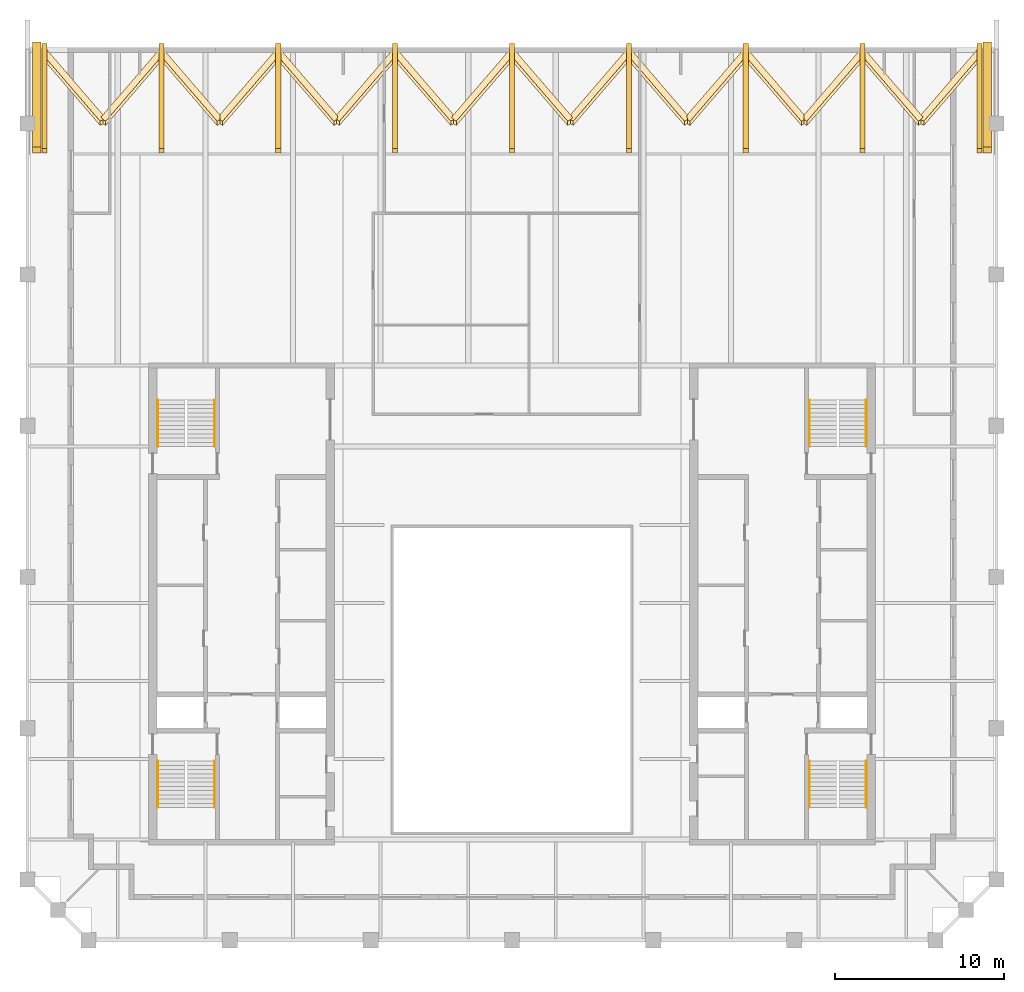
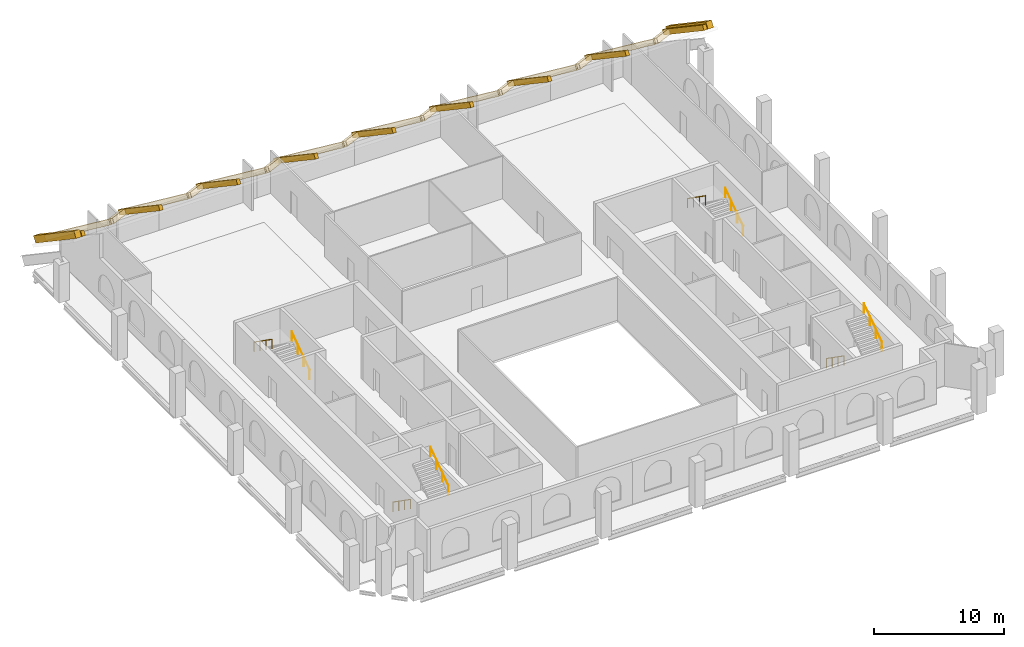
# One storey, part 8 of 8: 27 coverings, 8 railings.
"""IFC4 building model written with IfcOpenShell, lengths in metres."""

from ifc_helpers import new_model, si_unit, direction, frame, origin, origin_2d, place, context, subcontext, project, spatial, rectangle, circle, extrude, material, material_profile, profile_set, type_object, element, save


model = new_model("IFC4")

# Units and contexts
model_context = context("Model", 3, precision=1e-05, world=origin(), true_north=direction((0.0, 1.0)))
body_context = subcontext(model_context, "Body", "Model", "MODEL_VIEW")
ifc_project = project(units=[si_unit("LENGTHUNIT", "METRE"), si_unit("AREAUNIT", "SQUARE_METRE"), si_unit("VOLUMEUNIT", "CUBIC_METRE"), si_unit("PLANEANGLEUNIT", "RADIAN"), si_unit("MASSUNIT", "GRAM", prefix="KILO")], contexts=[model_context])

# Site, building, storey
site_placement = place(None, origin())
site = spatial("IfcSite", under=ifc_project, at=site_placement, CompositionType="ELEMENT")
building_placement = place(site_placement, origin())
building = spatial("IfcBuilding", under=site, at=building_placement, Name="Ogive Exchange Tower", CompositionType="ELEMENT")
storey_placement = place(building_placement, frame((0.0, 0.0, 377.39990234375)))
storey = spatial("IfcBuildingStorey", under=building, at=storey_placement, Name="C03", CompositionType="ELEMENT", Elevation=377.39990234375)

# Railings
ifc_material_1 = material(Name="Stainless steel", Category="steel")
railing_type = type_object("IfcRailingType", Name="Stair handrail 900", PredefinedType="HANDRAIL", material=ifc_material_1)
railing_1_placement = place(storey_placement, frame((-20.949951171875, 2.199951171875, 0.175048828125)))
element("IfcRailing", 1, at=railing_1_placement, inside=storey, type_object=railing_type, Name="C03 ST1 stair handrail 1", PredefinedType="HANDRAIL", context=body_context, shape_type="SweptSolid", body=[
    extrude(circle(Radius=0.02392578125, at=origin_2d()), frame((0.0, 0.0, 0.8759765625), z_axis=(0.0, -0.819225086817, 0.573472106672), x_axis=(1.0, 0.0, 0.0)), (0.0, 0.0, 1.0), 3.35693359375),
    extrude(circle(Radius=0.02099609375, at=origin_2d()), origin(), (0.0, 0.0, 1.0), 0.851806640625),
    extrude(circle(Radius=0.02099609375, at=origin_2d()), frame((0.0, -0.916748046875, 0.6416015625)), (0.0, 0.0, 1.0), 0.851806640625),
    extrude(circle(Radius=0.02099609375, at=origin_2d()), frame((0.0, -1.833251953125, 1.283447265625)), (0.0, 0.0, 1.0), 0.851806640625),
    extrude(circle(Radius=0.02099609375, at=origin_2d()), frame((0.0, -2.75, 1.925048828125)), (0.0, 0.0, 1.0), 0.851806640625),
])
for number, where, name in (
    (2, (-17.60009765625, -0.550048828125, 2.275146484375), "C03 ST1 stair handrail 2"),
    (3, (-17.60009765625, 20.800048828125, 0.175048828125), "C03 ST2 stair handrail 1"),
):
    element("IfcRailing", number, at=place(storey_placement, frame(where)), inside=storey, type_object=railing_type, Name=name, PredefinedType="HANDRAIL", context=body_context, shape_type="SweptSolid", body=[
        extrude(circle(Radius=0.02392578125, at=origin_2d()), frame((0.0, 0.0, 0.8759765625), z_axis=(0.0, 0.819225086817, 0.573472106672), x_axis=(-1.0, 0.0, 0.0)), (0.0, 0.0, 1.0), 3.35693359375),
        extrude(circle(Radius=0.02099609375, at=origin_2d()), origin(), (0.0, 0.0, 1.0), 0.851806640625),
        extrude(circle(Radius=0.02099609375, at=origin_2d()), frame((0.0, 0.916748046875, 0.6416015625)), (0.0, 0.0, 1.0), 0.851806640625),
        extrude(circle(Radius=0.02099609375, at=origin_2d()), frame((0.0, 1.833251953125, 1.283447265625)), (0.0, 0.0, 1.0), 0.851806640625),
        extrude(circle(Radius=0.02099609375, at=origin_2d()), frame((0.0, 2.75, 1.925048828125)), (0.0, 0.0, 1.0), 0.851806640625),
    ])
for number, where, name in (
    (4, (-20.949951171875, 23.550048828125, 2.275146484375), "C03 ST2 stair handrail 2"),
    (5, (17.60009765625, 2.199951171875, 0.175048828125), "C03 ST3 stair handrail 1"),
):
    element("IfcRailing", number, at=place(storey_placement, frame(where)), inside=storey, type_object=railing_type, Name=name, PredefinedType="HANDRAIL", context=body_context, shape_type="SweptSolid", body=[
        extrude(circle(Radius=0.02392578125, at=origin_2d()), frame((0.0, 0.0, 0.8759765625), z_axis=(0.0, -0.819225086817, 0.573472106672), x_axis=(1.0, 0.0, 0.0)), (0.0, 0.0, 1.0), 3.35693359375),
        extrude(circle(Radius=0.02099609375, at=origin_2d()), origin(), (0.0, 0.0, 1.0), 0.851806640625),
        extrude(circle(Radius=0.02099609375, at=origin_2d()), frame((0.0, -0.916748046875, 0.6416015625)), (0.0, 0.0, 1.0), 0.851806640625),
        extrude(circle(Radius=0.02099609375, at=origin_2d()), frame((0.0, -1.833251953125, 1.283447265625)), (0.0, 0.0, 1.0), 0.851806640625),
        extrude(circle(Radius=0.02099609375, at=origin_2d()), frame((0.0, -2.75, 1.925048828125)), (0.0, 0.0, 1.0), 0.851806640625),
    ])
for number, where, name in (
    (6, (20.949951171875, -0.550048828125, 2.275146484375), "C03 ST3 stair handrail 2"),
    (7, (20.949951171875, 20.800048828125, 0.175048828125), "C03 ST4 stair handrail 1"),
):
    element("IfcRailing", number, at=place(storey_placement, frame(where)), inside=storey, type_object=railing_type, Name=name, PredefinedType="HANDRAIL", context=body_context, shape_type="SweptSolid", body=[
        extrude(circle(Radius=0.02392578125, at=origin_2d()), frame((0.0, 0.0, 0.8759765625), z_axis=(0.0, 0.819225086817, 0.573472106672), x_axis=(-1.0, 0.0, 0.0)), (0.0, 0.0, 1.0), 3.35693359375),
        extrude(circle(Radius=0.02099609375, at=origin_2d()), origin(), (0.0, 0.0, 1.0), 0.851806640625),
        extrude(circle(Radius=0.02099609375, at=origin_2d()), frame((0.0, 0.916748046875, 0.6416015625)), (0.0, 0.0, 1.0), 0.851806640625),
        extrude(circle(Radius=0.02099609375, at=origin_2d()), frame((0.0, 1.833251953125, 1.283447265625)), (0.0, 0.0, 1.0), 0.851806640625),
        extrude(circle(Radius=0.02099609375, at=origin_2d()), frame((0.0, 2.75, 1.925048828125)), (0.0, 0.0, 1.0), 0.851806640625),
    ])
railing_2_placement = place(storey_placement, frame((17.60009765625, 23.550048828125, 2.275146484375)))
element("IfcRailing", 8, at=railing_2_placement, inside=storey, type_object=railing_type, Name="C03 ST4 stair handrail 2", PredefinedType="HANDRAIL", context=body_context, shape_type="SweptSolid", body=[
    extrude(circle(Radius=0.02392578125, at=origin_2d()), frame((0.0, 0.0, 0.8759765625), z_axis=(0.0, -0.819225086817, 0.573472106672), x_axis=(1.0, 0.0, 0.0)), (0.0, 0.0, 1.0), 3.35693359375),
    extrude(circle(Radius=0.02099609375, at=origin_2d()), origin(), (0.0, 0.0, 1.0), 0.851806640625),
    extrude(circle(Radius=0.02099609375, at=origin_2d()), frame((0.0, -0.916748046875, 0.6416015625)), (0.0, 0.0, 1.0), 0.851806640625),
    extrude(circle(Radius=0.02099609375, at=origin_2d()), frame((0.0, -1.833251953125, 1.283447265625)), (0.0, 0.0, 1.0), 0.851806640625),
    extrude(circle(Radius=0.02099609375, at=origin_2d()), frame((0.0, -2.75, 1.925048828125)), (0.0, 0.0, 1.0), 0.851806640625),
])

# Coverings
ifc_material_2 = material(Name="Limestone cladding on precast concrete", Category="masonry")
ifc_material_profile_1 = material_profile(ifc_material_2, rectangle(XDim=0.5, YDim=0.60009765625, at=origin_2d()), Name="CORNICE 500 x 600")
ifc_profile_set_1 = profile_set([ifc_material_profile_1], Name="Limestone cladding on precast concrete")
covering_type_1 = type_object("IfcCoveringType", Name="Stone cornice course 500 x 600", PredefinedType="CLADDING", material=ifc_profile_set_1)
for number, where, z_axis, x_axis, name in (
    (9, (-28.10009765625, 38.342041015625, 6.84912109375), (0.0, 0.82905285538, -0.559170245083), (-1.0, 0.0, 0.0), "Stone cornice course"),
    (10, (28.10009765625, 38.342041015625, 6.84912109375), (0.0, 0.82905285538, -0.559170245083), (-1.0, 0.0, 0.0), "Stone cornice course"),
):
    element("IfcCovering", number, at=place(storey_placement, frame(where, z_axis=z_axis, x_axis=x_axis)), inside=storey, type_object=covering_type_1, Name=name, PredefinedType="CLADDING", context=body_context, shape_type="SweptSolid", body=[
        extrude(rectangle(XDim=0.5, YDim=0.60009765625, at=origin_2d()), origin(), (0.0, 0.0, 1.0), 7.510986328125),
    ])
ifc_material_profile_2 = material_profile(ifc_material_2, rectangle(XDim=0.300048828125, YDim=0.449951171875, at=origin_2d()), Name="RIB 300 x 450")
ifc_profile_set_2 = profile_set([ifc_material_profile_2], Name="Limestone cladding on precast concrete")
covering_type_2 = type_object("IfcCoveringType", Name="Stone roof rib 300 x 450", PredefinedType="CLADDING", material=ifc_profile_set_2)
for number, where, z_axis, x_axis, name in (
    (11, (-27.64990234375, 44.527099609375, 2.587158203125), (0.0, -0.82905285538, 0.559170245083), (1.0, 0.0, 0.0), "Stone roof rib"),
    (12, (-20.737060546875, 44.527099609375, 2.587158203125), (0.0, -0.82905285538, 0.559170245083), (1.0, 0.0, 0.0), "Stone roof rib"),
    (13, (-13.824951171875, 44.527099609375, 2.587158203125), (0.0, -0.82905285538, 0.559170245083), (1.0, 0.0, 0.0), "Stone roof rib"),
    (14, (-6.9130859375, 44.527099609375, 2.587158203125), (0.0, -0.82905285538, 0.559170245083), (1.0, 0.0, 0.0), "Stone roof rib"),
    (15, (0.0, 44.527099609375, 2.587158203125), (0.0, -0.82905285538, 0.559170245083), (1.0, 0.0, 0.0), "Stone roof rib"),
    (16, (6.9130859375, 44.527099609375, 2.587158203125), (0.0, -0.82905285538, 0.559170245083), (1.0, 0.0, 0.0), "Stone roof rib"),
    (17, (13.824951171875, 44.527099609375, 2.587158203125), (0.0, -0.82905285538, 0.559170245083), (1.0, 0.0, 0.0), "Stone roof rib"),
    (18, (20.737060546875, 44.527099609375, 2.587158203125), (0.0, -0.82905285538, 0.559170245083), (1.0, 0.0, 0.0), "Stone roof rib"),
    (19, (27.64990234375, 44.527099609375, 2.587158203125), (0.0, -0.82905285538, 0.559170245083), (1.0, 0.0, 0.0), "Stone roof rib"),
):
    element("IfcCovering", number, at=place(storey_placement, frame(where, z_axis=z_axis, x_axis=x_axis)), inside=storey, type_object=covering_type_2, Name=name, PredefinedType="CLADDING", context=body_context, shape_type="SweptSolid", body=[
        extrude(rectangle(XDim=0.300048828125, YDim=0.449951171875, at=origin_2d()), origin(), (0.0, 0.0, 1.0), 7.510986328125),
    ])
ifc_material_profile_3 = material_profile(ifc_material_2, rectangle(XDim=0.39990234375, YDim=0.449951171875, at=origin_2d()), Name="TRACERY 400 x 450")
ifc_profile_set_3 = profile_set([ifc_material_profile_3], Name="Limestone cladding on precast concrete")
covering_type_3 = type_object("IfcCoveringType", Name="Stone tracery arch 400 x 450", PredefinedType="CLADDING", material=ifc_profile_set_3)
covering_1_placement = place(storey_placement, frame((-27.64990234375, 44.027099609375, 2.924072265625), z_axis=(0.581131436784, -0.674695445575, 0.455051984834), x_axis=(0.81380971314, 0.481748315801, -0.32501124753)))
element("IfcCovering", 20, at=covering_1_placement, inside=storey, type_object=covering_type_3, Name="Stone tracery arch", PredefinedType="CLADDING", context=body_context, shape_type="SweptSolid", body=[
    extrude(rectangle(XDim=0.39990234375, YDim=0.449951171875, at=origin_2d()), origin(), (0.0, 0.0, 1.0), 5.94677734375),
])
covering_2_placement = place(storey_placement, frame((-20.737060546875, 44.027099609375, 2.924072265625), z_axis=(-0.581267362782, -0.674614960449, 0.454997701206), x_axis=(0.813712635371, -0.481905441904, 0.325021371761)))
element("IfcCovering", 21, at=covering_2_placement, inside=storey, type_object=covering_type_3, Name="Stone tracery arch", PredefinedType="CLADDING", context=body_context, shape_type="SweptSolid", body=[
    extrude(rectangle(XDim=0.39990234375, YDim=0.449951171875, at=origin_2d()), origin(), (0.0, 0.0, 1.0), 5.947509765625),
])
for number, where, z_axis, x_axis, name in (
    (22, (-20.737060546875, 44.027099609375, 2.924072265625), (0.581158625876, -0.67467934852, 0.455041128088), (0.813790299216, 0.481799265186, -0.32498433342), "Stone tracery arch"),
    (23, (-13.824951171875, 44.027099609375, 2.924072265625), (-0.581158625876, -0.67467934852, 0.455041128088), (0.813790299216, -0.481799265186, 0.32498433342), "Stone tracery arch"),
    (24, (-13.824951171875, 44.027099609375, 2.924072265625), (0.581158625876, -0.67467934852, 0.455041128088), (0.813790299216, 0.481799265186, -0.32498433342), "Stone tracery arch"),
    (25, (-6.9130859375, 44.027099609375, 2.924072265625), (-0.581131436784, -0.674695445575, 0.455051984834), (0.813809714846, -0.481767835269, 0.324982308628), "Stone tracery arch"),
    (26, (-6.9130859375, 44.027099609375, 2.924072265625), (0.581158625876, -0.67467934852, 0.455041128088), (0.813790297961, 0.481779745986, -0.325013272502), "Stone tracery arch"),
):
    element("IfcCovering", number, at=place(storey_placement, frame(where, z_axis=z_axis, x_axis=x_axis)), inside=storey, type_object=covering_type_3, Name=name, PredefinedType="CLADDING", context=body_context, shape_type="SweptSolid", body=[
        extrude(rectangle(XDim=0.39990234375, YDim=0.449951171875, at=origin_2d()), origin(), (0.0, 0.0, 1.0), 5.94677734375),
    ])
for number, where, z_axis, x_axis, name in (
    (27, (0.0, 44.027099609375, 2.924072265625), (-0.581267362782, -0.674614960449, 0.454997701206), (0.813712635371, -0.481905441904, 0.325021371761), "Stone tracery arch"),
    (28, (0.0, 44.027099609375, 2.924072265625), (0.581267362782, -0.674614960449, 0.454997701206), (0.813712635371, 0.481905441904, -0.325021371761), "Stone tracery arch"),
):
    element("IfcCovering", number, at=place(storey_placement, frame(where, z_axis=z_axis, x_axis=x_axis)), inside=storey, type_object=covering_type_3, Name=name, PredefinedType="CLADDING", context=body_context, shape_type="SweptSolid", body=[
        extrude(rectangle(XDim=0.39990234375, YDim=0.449951171875, at=origin_2d()), origin(), (0.0, 0.0, 1.0), 5.947509765625),
    ])
for number, where, z_axis, x_axis, name in (
    (29, (6.9130859375, 44.027099609375, 2.924072265625), (-0.581158625876, -0.67467934852, 0.455041128088), (0.813790297961, -0.481779745986, 0.325013272502), "Stone tracery arch"),
    (30, (6.9130859375, 44.027099609375, 2.924072265625), (0.581131436784, -0.674695445575, 0.455051984834), (0.813809714846, 0.481767835269, -0.324982308628), "Stone tracery arch"),
    (31, (13.824951171875, 44.027099609375, 2.924072265625), (-0.581158625876, -0.67467934852, 0.455041128088), (0.813790299216, -0.481799265186, 0.32498433342), "Stone tracery arch"),
    (32, (13.824951171875, 44.027099609375, 2.924072265625), (0.581158625876, -0.67467934852, 0.455041128088), (0.813790299216, 0.481799265186, -0.32498433342), "Stone tracery arch"),
    (33, (20.737060546875, 44.027099609375, 2.924072265625), (-0.581158625876, -0.67467934852, 0.455041128088), (0.813790299216, -0.481799265186, 0.32498433342), "Stone tracery arch"),
):
    element("IfcCovering", number, at=place(storey_placement, frame(where, z_axis=z_axis, x_axis=x_axis)), inside=storey, type_object=covering_type_3, Name=name, PredefinedType="CLADDING", context=body_context, shape_type="SweptSolid", body=[
        extrude(rectangle(XDim=0.39990234375, YDim=0.449951171875, at=origin_2d()), origin(), (0.0, 0.0, 1.0), 5.94677734375),
    ])
covering_3_placement = place(storey_placement, frame((20.737060546875, 44.027099609375, 2.924072265625), z_axis=(0.581267362782, -0.674614960449, 0.454997701206), x_axis=(0.813712635371, 0.481905441904, -0.325021371761)))
element("IfcCovering", 34, at=covering_3_placement, inside=storey, type_object=covering_type_3, Name="Stone tracery arch", PredefinedType="CLADDING", context=body_context, shape_type="SweptSolid", body=[
    extrude(rectangle(XDim=0.39990234375, YDim=0.449951171875, at=origin_2d()), origin(), (0.0, 0.0, 1.0), 5.947509765625),
])
covering_4_placement = place(storey_placement, frame((27.64990234375, 44.027099609375, 2.924072265625), z_axis=(-0.581131436784, -0.674695445575, 0.455051984834), x_axis=(0.81380971314, -0.481748315801, 0.32501124753)))
element("IfcCovering", 35, at=covering_4_placement, inside=storey, type_object=covering_type_3, Name="Stone tracery arch", PredefinedType="CLADDING", context=body_context, shape_type="SweptSolid", body=[
    extrude(rectangle(XDim=0.39990234375, YDim=0.449951171875, at=origin_2d()), origin(), (0.0, 0.0, 1.0), 5.94677734375),
])

save(model, "model.ifc")
